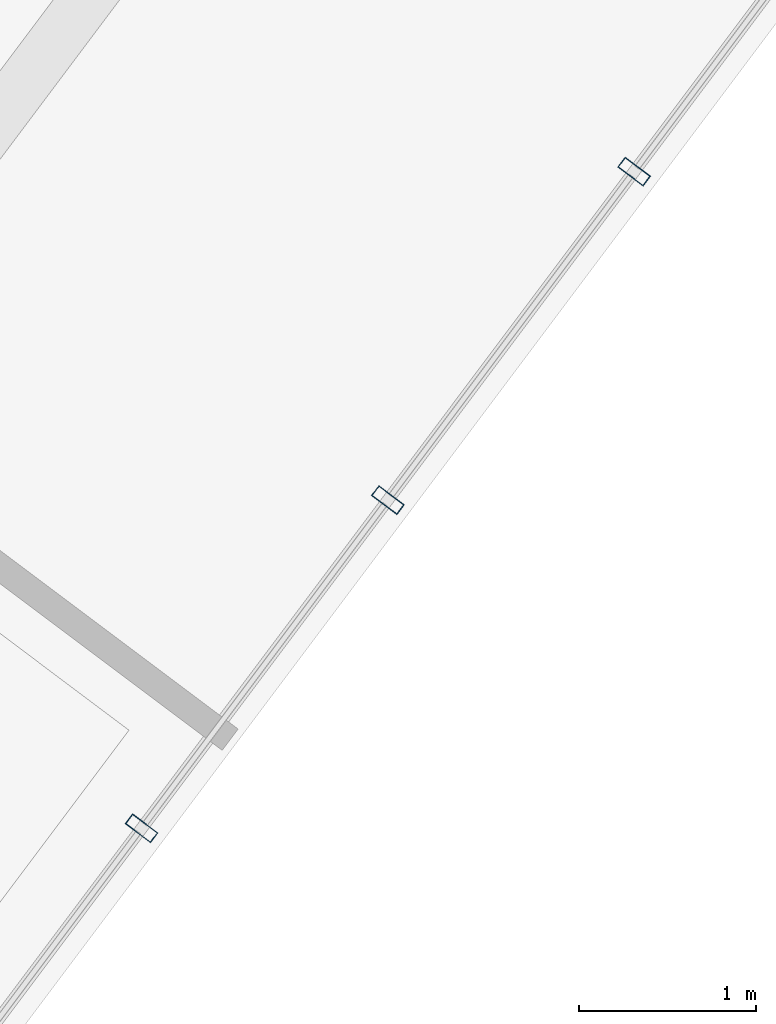
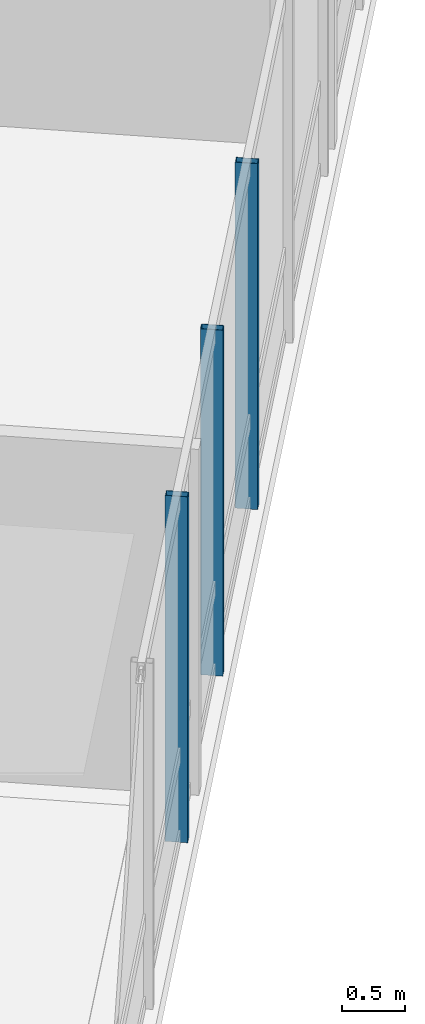
# One storey, part 11 of 26: 3 members, 1 element without a shape of its own.
"""IFC4 building model written with IfcOpenShell, lengths in metres."""

from ifc_helpers import new_model, si_unit, direction, frame, origin, origin_2d, place, context, subcontext, project, spatial, hollow_rectangle, extrude, material, layer, layer_set, material_profile, profile_set, type_object, element, aggregate, save


model = new_model("IFC4")

# Units and contexts
model_context = context("Model", 3, precision=1e-05, world=origin(), true_north=direction((0.0, 1.0)))
body_context = subcontext(model_context, "Body", "Model", "MODEL_VIEW")
ifc_project = project(units=[si_unit("LENGTHUNIT", "METRE"), si_unit("AREAUNIT", "SQUARE_METRE"), si_unit("VOLUMEUNIT", "CUBIC_METRE"), si_unit("PLANEANGLEUNIT", "RADIAN"), si_unit("MASSUNIT", "GRAM", prefix="KILO")], contexts=[model_context])

# Site, building, storey
site_placement = place(None, origin())
site = spatial("IfcSite", under=ifc_project, at=site_placement, CompositionType="ELEMENT")
building_placement = place(site_placement, origin())
building = spatial("IfcBuilding", under=site, at=building_placement, Name="Hatsunagi Terrace Concourse", CompositionType="ELEMENT")
storey_placement = place(building_placement, frame((0.0, 0.0, 198.75)))
storey = spatial("IfcBuildingStorey", under=building, at=storey_placement, Name="L52", CompositionType="ELEMENT", Elevation=198.75)

# Curtain wall, members
ifc_material_1 = material(Name="Anodised Aluminium Alloy 6063-T5", Category="aluminium")
ifc_layer = layer(ifc_material_1, 0.199951171875)
ifc_layer_set = layer_set([ifc_layer], Name="OfficeZone2_CW04")
curtain_wall_type = type_object("IfcCurtainWallType", Name="OfficeZone2_CW04", PredefinedType="NOTDEFINED", material=ifc_layer_set)
curtain_wall_placement = place(storey_placement, origin())
curtain_wall = element("IfcCurtainWall", 1, at=curtain_wall_placement, inside=storey, type_object=curtain_wall_type, Name="Unitised Curtain Wall CW-04 CW-L52-03", PredefinedType="NOTDEFINED")
ifc_material_2 = material(Name="Anodised Aluminium Alloy 6063-T5", Category="aluminium")
ifc_material_profile = material_profile(ifc_material_2, hollow_rectangle(XDim=0.070068359375, YDim=0.179931640625, WallThickness=0.00390625, at=origin_2d()), Name="ALU-MUL-180x70x4")
ifc_profile_set = profile_set([ifc_material_profile], Name="Anodised Aluminium Alloy 6063-T5")
member_type = type_object("IfcMemberType", Name="CurtainWallMullion_180x70", PredefinedType="MULLION", material=ifc_profile_set)
member_1_placement = place(storey_placement, frame((53.73193359375, 16.676025390625, 0.0), z_axis=(0.0, 0.0, 1.0), x_axis=(-0.599969314634, -0.800023013105, 0.0)))
member_1 = element("IfcMember", 2, at=member_1_placement, type_object=member_type, Name="Curtain Wall Mullion MUL-02", PredefinedType="MULLION", context=body_context, shape_type="SweptSolid", body=[
    extrude(hollow_rectangle(XDim=0.070068359375, YDim=0.179931640625, WallThickness=0.00390625, at=origin_2d()), origin(), (0.0, 0.0, 1.0), 3.35009765625),
])
member_2_placement = place(storey_placement, frame((52.340087890625, 14.819091796875, 0.0), z_axis=(0.0, 0.0, 1.0), x_axis=(-0.599969314634, -0.800023013105, 0.0)))
member_2 = element("IfcMember", 3, at=member_2_placement, type_object=member_type, Name="Curtain Wall Mullion MUL-02", PredefinedType="MULLION", context=body_context, shape_type="SweptSolid", body=[
    extrude(hollow_rectangle(XDim=0.070068359375, YDim=0.179931640625, WallThickness=0.00390625, at=origin_2d()), origin(), (0.0, 0.0, 1.0), 3.35009765625),
])
member_3_placement = place(storey_placement, frame((50.947021484375, 12.962890625, 0.0), z_axis=(0.0, 0.0, 1.0), x_axis=(-0.599969314634, -0.800023013105, 0.0)))
member_3 = element("IfcMember", 4, at=member_3_placement, type_object=member_type, Name="Curtain Wall Mullion MUL-02", PredefinedType="MULLION", context=body_context, shape_type="SweptSolid", body=[
    extrude(hollow_rectangle(XDim=0.070068359375, YDim=0.179931640625, WallThickness=0.00390625, at=origin_2d()), origin(), (0.0, 0.0, 1.0), 3.35009765625),
])
aggregate(curtain_wall, [member_1, member_2, member_3])

save(model, "model.ifc")
